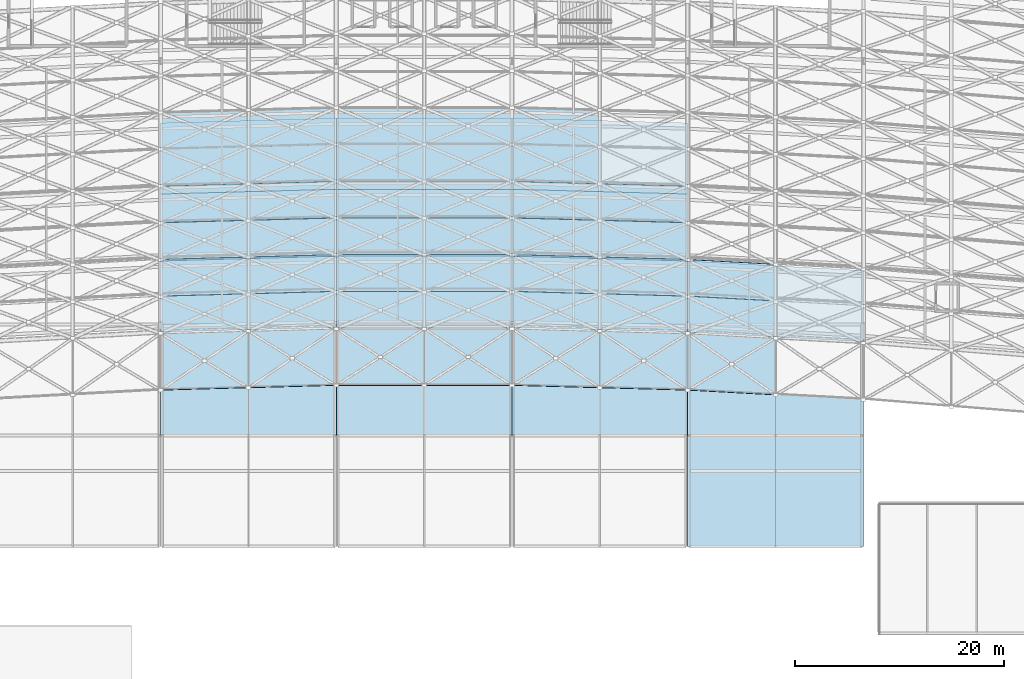
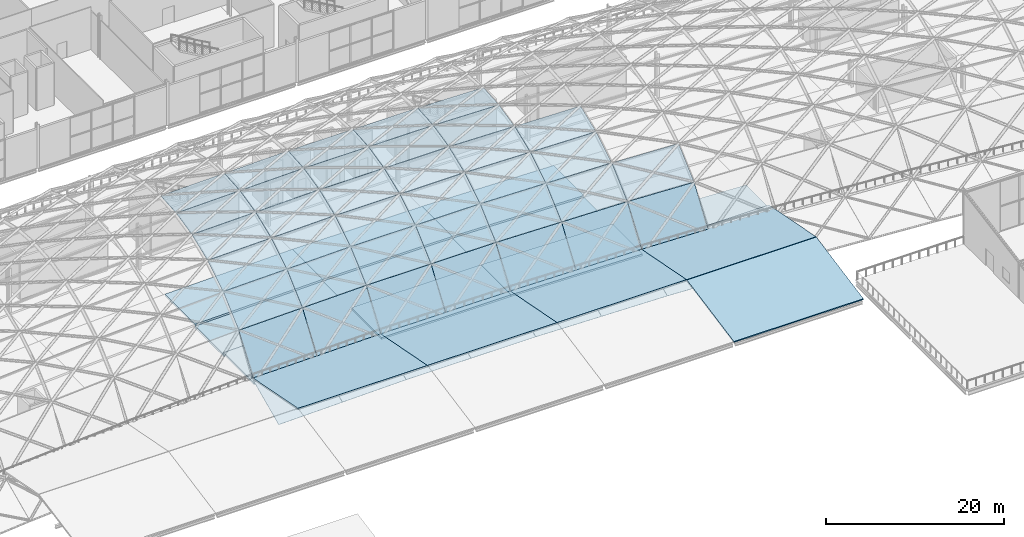
# One storey, part 65 of 100: 43 plates, 15 slabs.
"""IFC4 building model written with IfcOpenShell, lengths in metres."""

from ifc_helpers import new_model, si_unit, direction, frame, origin, place, context, subcontext, project, spatial, polyline, outline, extrude, material, layer, layer_set, type_object, element, save


model = new_model("IFC4")

# Units and contexts
model_context = context("Model", 3, precision=1e-05, world=origin(), true_north=direction((0.0, 1.0)))
body_context = subcontext(model_context, "Body", "Model", "MODEL_VIEW")
ifc_project = project(units=[si_unit("LENGTHUNIT", "METRE"), si_unit("AREAUNIT", "SQUARE_METRE"), si_unit("VOLUMEUNIT", "CUBIC_METRE"), si_unit("PLANEANGLEUNIT", "RADIAN"), si_unit("MASSUNIT", "GRAM", prefix="KILO")], contexts=[model_context])

# Site, building, storey
site_placement = place(None, origin())
site = spatial("IfcSite", under=ifc_project, at=site_placement, CompositionType="ELEMENT")
building_placement = place(site_placement, origin())
building = spatial("IfcBuilding", under=site, at=building_placement, Name="Kimbaza Rail Terminus", CompositionType="ELEMENT")
storey_placement = place(building_placement, frame((0.0, 0.0, 10.800048828125)))
storey = spatial("IfcBuildingStorey", under=building, at=storey_placement, Name="L02", CompositionType="ELEMENT", Elevation=10.800048828125)

# Plates
ifc_material_1 = material(Name="Insulated pearl-white aluminium cassette", Category="aluminium")
ifc_layer_1 = layer(ifc_material_1, 0.054931640625)
ifc_layer_set_1 = layer_set([ifc_layer_1], Name="Insulated pearl-white aluminium cassette")
plate_type_1 = type_object("IfcPlateType", Name="ARC-PL-VAL-01", PredefinedType="SHEET", material=ifc_layer_set_1)
plate_1_placement = place(storey_placement, frame((88.804931640625, 48.7421875, -2.39990234375), z_axis=(0.011233596751, -0.413776833816, 0.910309034395), x_axis=(0.9996316715, 0.027138926541, 0.0)))
element("IfcPlate", 1, at=plate_1_placement, inside=storey, type_object=plate_type_1, Name="Vault Insulated Aluminium Cassette VR-08-VA00", PredefinedType="SHEET", context=body_context, shape_type="SweptSolid", body=[
    extrude(outline(polyline([(0.0, 0.0), (8.393228183895808, 0.0), (8.54249227987157, 6.039678818418454), (0.1492640959757627, 6.039678818418454), (0.0, 0.0)])), origin(), (0.0, 0.0, -1.0), 0.054931640625),
])
plate_2_placement = place(storey_placement, frame((97.205078125, 48.969970703125, -2.39990234375), z_axis=(0.011233923601, -0.413776832296, 0.910309031052), x_axis=(0.999631650075, 0.027139715685, 0.0)))
element("IfcPlate", 2, at=plate_2_placement, inside=storey, type_object=plate_type_1, Name="Vault Insulated Aluminium Cassette VR-09-VA00", PredefinedType="SHEET", context=body_context, shape_type="SweptSolid", body=[
    extrude(outline(polyline([(0.0, 0.0), (8.392984133197373, 0.0), (8.54225256946573, 6.039678711151282), (0.14926843626835662, 6.039678711151282), (0.0, 0.0)])), origin(), (0.0, 0.0, -1.0), 0.054931640625),
])
for number, where, z_axis, x_axis, name in (
    (3, (105.60498046875, 49.19775390625, -2.39990234375), (0.0, -0.413802944301, 0.910366477463), (1.0, 0.0, 0.0), "Vault Insulated Aluminium Cassette VR-10-VA00"),
    (4, (114.0048828125, 49.19775390625, -2.39990234375), (0.0, -0.413802944301, 0.910366477463), (1.0, 0.0, 0.0), "Vault Insulated Aluminium Cassette VR-11-VA00"),
):
    element("IfcPlate", number, at=place(storey_placement, frame(where, z_axis=z_axis, x_axis=x_axis)), inside=storey, type_object=plate_type_1, Name=name, PredefinedType="SHEET", context=body_context, shape_type="SweptSolid", body=[
        extrude(outline(polyline([(0.0, 0.0), (8.39013671875, 0.0), (8.39013671875, 6.041522986797286), (0.0, 6.041522986797286), (0.0, 0.0)])), origin(), (0.0, 0.0, -1.0), 0.054931640625),
    ])
plate_3_placement = place(storey_placement, frame((122.405029296875, 49.19775390625, -2.39990234375), z_axis=(-0.011233923601, -0.413776832296, 0.910309031052), x_axis=(0.999631650075, -0.027139715685, 0.0)))
element("IfcPlate", 5, at=plate_3_placement, inside=storey, type_object=plate_type_1, Name="Vault Insulated Aluminium Cassette VR-12-VA00", PredefinedType="SHEET", context=body_context, shape_type="SweptSolid", body=[
    extrude(outline(polyline([(0.0, 0.0), (8.392984133197373, 0.0), (8.243715696929016, 6.039678711151282), (-0.14926843626835662, 6.039678711151282), (0.0, 0.0)])), origin(), (0.0, 0.0, -1.0), 0.054931640625),
])
plate_4_placement = place(storey_placement, frame((130.804931640625, 48.969970703125, -2.39990234375), z_axis=(-0.011233596751, -0.413776833816, 0.910309034395), x_axis=(0.9996316715, -0.027138926541, 0.0)))
element("IfcPlate", 6, at=plate_4_placement, inside=storey, type_object=plate_type_1, Name="Vault Insulated Aluminium Cassette VR-13-VA00", PredefinedType="SHEET", context=body_context, shape_type="SweptSolid", body=[
    extrude(outline(polyline([(0.0, 0.0), (8.393228183895808, 0.0), (8.243964087920045, 6.039678818418455), (-0.1492640959757627, 6.039678818418454), (0.0, 0.0)])), origin(), (0.0, 0.0, -1.0), 0.054931640625),
])
plate_5_placement = place(storey_placement, frame((139.205078125, 48.7421875, -2.39990234375), z_axis=(-0.022475627499, -0.413698414027, 0.91013651086), x_axis=(0.998527464249, -0.054248531231, 0.0)))
element("IfcPlate", 7, at=plate_5_placement, inside=storey, type_object=plate_type_1, Name="Vault Insulated Aluminium Cassette VR-14-VA00", PredefinedType="SHEET", context=body_context, shape_type="SweptSolid", body=[
    extrude(outline(polyline([(0.0, 0.0), (8.402265214043142, -5.551115123125783e-17), (8.10389829227275, 6.034150907956584), (-0.2983669217703925, 6.034150907956584), (0.0, 0.0)])), origin(), (0.0, 0.0, -1.0), 0.054931640625),
])
ifc_material_2 = material(Name="Laminated solar-control low-E glass", Category="glass")
ifc_layer_2 = layer(ifc_material_2, 0.028076171875)
ifc_layer_set_2 = layer_set([ifc_layer_2], Name="Laminated solar-control low-E glass")
plate_type_2 = type_object("IfcPlateType", Name="ARC-PL-VGL-02", PredefinedType="SHEET", material=ifc_layer_set_2)
plate_6_placement = place(storey_placement, frame((88.804931640625, 54.219970703125, 0.048095703125), z_axis=(0.022303646019, -0.821529581024, 0.569729492722), x_axis=(0.9996316715, 0.027138926541, 0.0)))
element("IfcPlate", 8, at=plate_6_placement, inside=storey, type_object=plate_type_2, Name="Vault Solar Glass Cassette VR-08-VA01", PredefinedType="SHEET", context=body_context, shape_type="SweptSolid", body=[
    extrude(outline(polyline([(0.0, 0.0), (8.393228183895808, -2.7755575615628914e-17), (8.488214426789474, 6.1410035726488506), (0.09498624289366717, 6.1410035726488506), (0.0, 0.0)])), origin(), (0.0, 0.0, -1.0), 0.028076171875),
])
plate_7_placement = place(storey_placement, frame((97.205078125, 54.44775390625, 0.048095703125), z_axis=(0.022304294718, -0.821529569131, 0.569729484475), x_axis=(0.999631650075, 0.027139715685, 0.0)))
element("IfcPlate", 9, at=plate_7_placement, inside=storey, type_object=plate_type_2, Name="Vault Solar Glass Cassette VR-09-VA01", PredefinedType="SHEET", context=body_context, shape_type="SweptSolid", body=[
    extrude(outline(polyline([(0.0, 0.0), (8.392984133197373, 0.0), (8.487973138095418, 6.141003529926806), (0.09498900489804511, 6.141003529926806), (0.0, 0.0)])), origin(), (0.0, 0.0, -1.0), 0.028076171875),
])
for number, where, z_axis, x_axis, name in (
    (10, (105.60498046875, 54.675537109375, 0.048095703125), (0.0, -0.821733993314, 0.569871252329), (1.0, 0.0, 0.0), "Vault Solar Glass Cassette VR-10-VA01"),
    (11, (114.0048828125, 54.675537109375, 0.048095703125), (0.0, -0.821733993314, 0.569871252329), (1.0, 0.0, 0.0), "Vault Solar Glass Cassette VR-11-VA01"),
):
    element("IfcPlate", number, at=place(storey_placement, frame(where, z_axis=z_axis, x_axis=x_axis)), inside=storey, type_object=plate_type_2, Name=name, PredefinedType="SHEET", context=body_context, shape_type="SweptSolid", body=[
        extrude(outline(polyline([(0.0, 0.0), (8.39013671875, 0.0), (8.39013671875, 6.141738130661793), (0.0, 6.141738130661793), (0.0, 0.0)])), origin(), (0.0, 0.0, -1.0), 0.028076171875),
    ])
plate_8_placement = place(storey_placement, frame((122.405029296875, 54.675537109375, 0.048095703125), z_axis=(-0.022304294718, -0.821529569131, 0.569729484475), x_axis=(0.999631650075, -0.027139715685, 0.0)))
element("IfcPlate", 12, at=plate_8_placement, inside=storey, type_object=plate_type_2, Name="Vault Solar Glass Cassette VR-12-VA01", PredefinedType="SHEET", context=body_context, shape_type="SweptSolid", body=[
    extrude(outline(polyline([(0.0, 0.0), (8.392984133197373, 0.0), (8.297995128299327, 6.141003529926806), (-0.09498900489804511, 6.141003529926806), (0.0, 0.0)])), origin(), (0.0, 0.0, -1.0), 0.028076171875),
])
plate_9_placement = place(storey_placement, frame((130.804931640625, 54.44775390625, 0.048095703125), z_axis=(-0.022303646019, -0.821529581024, 0.569729492722), x_axis=(0.9996316715, -0.027138926541, 0.0)))
element("IfcPlate", 13, at=plate_9_placement, inside=storey, type_object=plate_type_2, Name="Vault Solar Glass Cassette VR-13-VA01", PredefinedType="SHEET", context=body_context, shape_type="SweptSolid", body=[
    extrude(outline(polyline([(0.0, 0.0), (8.393228183895808, 2.7755575615628914e-17), (8.29824194100214, 6.1410035726488506), (-0.09498624289366717, 6.1410035726488506), (0.0, 0.0)])), origin(), (0.0, 0.0, -1.0), 0.028076171875),
])
plate_10_placement = place(storey_placement, frame((139.205078125, 54.219970703125, 0.048095703125), z_axis=(-0.044599179399, -0.820916336393, 0.569304208521), x_axis=(0.998527464249, -0.054248531231, 0.0)))
element("IfcPlate", 14, at=plate_10_placement, inside=storey, type_object=plate_type_2, Name="Vault Solar Glass Cassette VR-14-VA01", PredefinedType="SHEET", context=body_context, shape_type="SweptSolid", body=[
    extrude(outline(polyline([(0.0, 0.0), (8.402265214043142, 0.0), (8.21239535473471, 6.1388025462749), (-0.18986985930843156, 6.1388025462749), (0.0, 0.0)])), origin(), (0.0, 0.0, -1.0), 0.028076171875),
])
ifc_material_3 = material(Name="Laminated solar-control low-E glass", Category="glass")
ifc_layer_3 = layer(ifc_material_3, 0.030029296875)
ifc_layer_set_3 = layer_set([ifc_layer_3], Name="Laminated solar-control low-E glass")
plate_type_3 = type_object("IfcPlateType", Name="ARC-PL-VGL-03", PredefinedType="SHEET", material=ifc_layer_set_3)
plate_11_placement = place(storey_placement, frame((88.804931640625, 57.73095703125, 5.110107421875), z_axis=(0.018186300506, -0.669871814781, 0.742254006547), x_axis=(0.9996316715, 0.027138926541, 0.0)))
element("IfcPlate", 15, at=plate_11_placement, inside=storey, type_object=plate_type_3, Name="Vault Solar Glass Cassette VR-08-VA02", PredefinedType="SHEET", context=body_context, shape_type="SweptSolid", body=[
    extrude(outline(polyline([(0.0, 0.0), (8.393228183895808, 2.7755575615628914e-17), (8.488214426789474, 4.713630131181121), (0.09498624289366717, 4.713630131181121), (0.0, 0.0)])), origin(), (0.0, 0.0, -1.0), 0.030029296875),
])
plate_12_placement = place(storey_placement, frame((97.205078125, 57.958740234375, 5.110107421875), z_axis=(0.018186829541, -0.669871808334, 0.742253999403), x_axis=(0.999631650075, 0.027139715685, 0.0)))
element("IfcPlate", 16, at=plate_12_placement, inside=storey, type_object=plate_type_3, Name="Vault Solar Glass Cassette VR-09-VA02", PredefinedType="SHEET", context=body_context, shape_type="SweptSolid", body=[
    extrude(outline(polyline([(0.0, 0.0), (8.392984133197373, 0.0), (8.487973138095418, 4.713630075522059), (0.09498900489804511, 4.713630075522059), (0.0, 0.0)])), origin(), (0.0, 0.0, -1.0), 0.030029296875),
])
for number, where, z_axis, x_axis, name in (
    (17, (105.60498046875, 58.1865234375, 5.110107421875), (0.0, -0.669982619481, 0.742376784115), (1.0, 0.0, 0.0), "Vault Solar Glass Cassette VR-10-VA02"),
    (18, (114.0048828125, 58.1865234375, 5.110107421875), (0.0, -0.669982619481, 0.742376784115), (1.0, 0.0, 0.0), "Vault Solar Glass Cassette VR-11-VA02"),
):
    element("IfcPlate", number, at=place(storey_placement, frame(where, z_axis=z_axis, x_axis=x_axis)), inside=storey, type_object=plate_type_3, Name=name, PredefinedType="SHEET", context=body_context, shape_type="SweptSolid", body=[
        extrude(outline(polyline([(0.0, 0.0), (8.39013671875, 0.0), (8.39013671875, 4.7145870868950555), (0.0, 4.7145870868950555), (0.0, 0.0)])), origin(), (0.0, 0.0, -1.0), 0.030029296875),
    ])
plate_13_placement = place(storey_placement, frame((122.405029296875, 58.1865234375, 5.110107421875), z_axis=(-0.018186829541, -0.669871808334, 0.742253999403), x_axis=(0.999631650075, -0.027139715685, 0.0)))
element("IfcPlate", 19, at=plate_13_placement, inside=storey, type_object=plate_type_3, Name="Vault Solar Glass Cassette VR-12-VA02", PredefinedType="SHEET", context=body_context, shape_type="SweptSolid", body=[
    extrude(outline(polyline([(0.0, 0.0), (8.392984133197373, 0.0), (8.297995128299327, 4.713630075522059), (-0.09498900489804511, 4.713630075522059), (0.0, 0.0)])), origin(), (0.0, 0.0, -1.0), 0.030029296875),
])
plate_14_placement = place(storey_placement, frame((130.804931640625, 57.958740234375, 5.110107421875), z_axis=(-0.018186300506, -0.669871814781, 0.742254006547), x_axis=(0.9996316715, -0.027138926541, 0.0)))
element("IfcPlate", 20, at=plate_14_placement, inside=storey, type_object=plate_type_3, Name="Vault Solar Glass Cassette VR-13-VA02", PredefinedType="SHEET", context=body_context, shape_type="SweptSolid", body=[
    extrude(outline(polyline([(0.0, 0.0), (8.393228183895808, -2.7755575615628914e-17), (8.29824194100214, 4.713630131181121), (-0.09498624289366717, 4.713630131181121), (0.0, 0.0)])), origin(), (0.0, 0.0, -1.0), 0.030029296875),
])
plate_15_placement = place(storey_placement, frame((139.205078125, 57.73095703125, 5.110107421875), z_axis=(-0.036375083446, -0.669539230121, 0.741885484852), x_axis=(0.998527464249, -0.054248531231, 0.0)))
element("IfcPlate", 21, at=plate_15_placement, inside=storey, type_object=plate_type_3, Name="Vault Solar Glass Cassette VR-14-VA02", PredefinedType="SHEET", context=body_context, shape_type="SweptSolid", body=[
    extrude(outline(polyline([(0.0, 0.0), (8.402265214043142, 5.551115123125783e-17), (8.21239535473471, 4.710762235184854), (-0.18986985930843156, 4.710762235184854), (0.0, 0.0)])), origin(), (0.0, 0.0, -1.0), 0.030029296875),
])
ifc_material_4 = material(Name="Laminated solar-control low-E glass", Category="glass")
ifc_layer_4 = layer(ifc_material_4, 0.031982421875)
ifc_layer_set_4 = layer_set([ifc_layer_4], Name="Laminated solar-control low-E glass")
plate_type_4 = type_object("IfcPlateType", Name="ARC-PL-VGL-04", PredefinedType="SHEET", material=ifc_layer_set_4)
plate_16_placement = place(storey_placement, frame((88.804931640625, 61.242431640625, 8.27978515625), z_axis=(0.014127260682, -0.520361672669, 0.853829110608), x_axis=(0.9996316715, 0.027138926541, 0.0)))
element("IfcPlate", 22, at=plate_16_placement, inside=storey, type_object=plate_type_4, Name="Vault Solar Glass Cassette VR-08-VA03", PredefinedType="SHEET", context=body_context, shape_type="SweptSolid", body=[
    extrude(outline(polyline([(0.0, 0.0), (8.393228183895808, -2.7755575615628914e-17), (8.488214426789474, 4.097671075839953), (0.09498624289366717, 4.097671075839953), (0.0, 0.0)])), origin(), (0.0, 0.0, -1.0), 0.031982421875),
])
plate_17_placement = place(storey_placement, frame((97.205078125, 61.47021484375, 8.27978515625), z_axis=(0.014127671694, -0.520361669647, 0.85382910565), x_axis=(0.999631650075, 0.027139715685, 0.0)))
element("IfcPlate", 23, at=plate_17_placement, inside=storey, type_object=plate_type_4, Name="Vault Solar Glass Cassette VR-09-VA03", PredefinedType="SHEET", context=body_context, shape_type="SweptSolid", body=[
    extrude(outline(polyline([(0.0, 0.0), (8.392984133197373, 0.0), (8.487973138095418, 4.097671011814259), (0.09498900489804511, 4.097671011814259), (0.0, 0.0)])), origin(), (0.0, 0.0, -1.0), 0.031982421875),
])
for number, where, z_axis, x_axis, name in (
    (24, (105.60498046875, 61.697998046875, 8.27978515625), (0.0, -0.520413607203, 0.853914326755), (1.0, 0.0, 0.0), "Vault Solar Glass Cassette VR-10-VA03"),
    (25, (114.0048828125, 61.697998046875, 8.27978515625), (0.0, -0.520413607203, 0.853914326755), (1.0, 0.0, 0.0), "Vault Solar Glass Cassette VR-11-VA03"),
):
    element("IfcPlate", number, at=place(storey_placement, frame(where, z_axis=z_axis, x_axis=x_axis)), inside=storey, type_object=plate_type_4, Name=name, PredefinedType="SHEET", context=body_context, shape_type="SweptSolid", body=[
        extrude(outline(polyline([(0.0, 0.0), (8.39013671875, 0.0), (8.39013671875, 4.098771844359528), (0.0, 4.098771844359528), (0.0, 0.0)])), origin(), (0.0, 0.0, -1.0), 0.031982421875),
    ])
plate_18_placement = place(storey_placement, frame((122.405029296875, 61.697998046875, 8.27978515625), z_axis=(-0.014127671694, -0.520361669647, 0.85382910565), x_axis=(0.999631650075, -0.027139715685, 0.0)))
element("IfcPlate", 26, at=plate_18_placement, inside=storey, type_object=plate_type_4, Name="Vault Solar Glass Cassette VR-12-VA03", PredefinedType="SHEET", context=body_context, shape_type="SweptSolid", body=[
    extrude(outline(polyline([(0.0, 0.0), (8.392984133197373, 0.0), (8.297995128299327, 4.097671011814259), (-0.09498900489804511, 4.097671011814259), (0.0, 0.0)])), origin(), (0.0, 0.0, -1.0), 0.031982421875),
])
plate_19_placement = place(storey_placement, frame((130.804931640625, 61.47021484375, 8.27978515625), z_axis=(-0.014127260682, -0.520361672669, 0.853829110608), x_axis=(0.9996316715, -0.027138926541, 0.0)))
element("IfcPlate", 27, at=plate_19_placement, inside=storey, type_object=plate_type_4, Name="Vault Solar Glass Cassette VR-13-VA03", PredefinedType="SHEET", context=body_context, shape_type="SweptSolid", body=[
    extrude(outline(polyline([(0.0, 0.0), (8.393228183895808, 2.7755575615628914e-17), (8.29824194100214, 4.097671075839953), (-0.09498624289366717, 4.097671075839953), (0.0, 0.0)])), origin(), (0.0, 0.0, -1.0), 0.031982421875),
])
ifc_material_5 = material(Name="Laminated solar-control low-E glass", Category="glass")
ifc_layer_5 = layer(ifc_material_5, 0.033935546875)
ifc_layer_set_5 = layer_set([ifc_layer_5], Name="Laminated solar-control low-E glass")
plate_type_5 = type_object("IfcPlateType", Name="ARC-PL-VGL-05", PredefinedType="SHEET", material=ifc_layer_set_5)
plate_20_placement = place(storey_placement, frame((88.804931640625, 64.754638671875, 10.421142578125), z_axis=(0.010086285666, -0.371516927313, 0.928371390964), x_axis=(0.9996316715, 0.027138926541, 0.0)))
element("IfcPlate", 28, at=plate_20_placement, inside=storey, type_object=plate_type_5, Name="Vault Solar Glass Cassette VR-08-VA04", PredefinedType="SHEET", context=body_context, shape_type="SweptSolid", body=[
    extrude(outline(polyline([(0.0, 0.0), (8.393228183895808, -2.7755575615628914e-17), (8.488214426789474, 3.7686543169065465), (0.09498624289366717, 3.7686543169065465), (0.0, 0.0)])), origin(), (0.0, 0.0, -1.0), 0.033935546875),
])
plate_21_placement = place(storey_placement, frame((97.205078125, 64.982421875, 10.421142578125), z_axis=(0.01008657914, -0.371516926213, 0.928371388216), x_axis=(0.999631650075, 0.027139715685, 0.0)))
element("IfcPlate", 29, at=plate_21_placement, inside=storey, type_object=plate_type_5, Name="Vault Solar Glass Cassette VR-09-VA04", PredefinedType="SHEET", context=body_context, shape_type="SweptSolid", body=[
    extrude(outline(polyline([(0.0, 0.0), (8.392984133197373, 0.0), (8.487973138095418, 3.7686542472911837), (0.09498900489804511, 3.7686542472911837), (0.0, 0.0)])), origin(), (0.0, 0.0, -1.0), 0.033935546875),
])
for number, where, z_axis, x_axis, name in (
    (30, (105.60498046875, 65.210205078125, 10.421142578125), (0.0, -0.371535826551, 0.928418617645), (1.0, 0.0, 0.0), "Vault Solar Glass Cassette VR-10-VA04"),
    (31, (114.0048828125, 65.210205078125, 10.421142578125), (0.0, -0.371535826551, 0.928418617645), (1.0, 0.0, 0.0), "Vault Solar Glass Cassette VR-11-VA04"),
):
    element("IfcPlate", number, at=place(storey_placement, frame(where, z_axis=z_axis, x_axis=x_axis)), inside=storey, type_object=plate_type_5, Name=name, PredefinedType="SHEET", context=body_context, shape_type="SweptSolid", body=[
        extrude(outline(polyline([(0.0, 0.0), (8.39013671875, 0.0), (8.39013671875, 3.769851157098566), (0.0, 3.769851157098566), (0.0, 0.0)])), origin(), (0.0, 0.0, -1.0), 0.033935546875),
    ])
plate_22_placement = place(storey_placement, frame((122.405029296875, 65.210205078125, 10.421142578125), z_axis=(-0.01008657914, -0.371516926213, 0.928371388216), x_axis=(0.999631650075, -0.027139715685, 0.0)))
element("IfcPlate", 32, at=plate_22_placement, inside=storey, type_object=plate_type_5, Name="Vault Solar Glass Cassette VR-12-VA04", PredefinedType="SHEET", context=body_context, shape_type="SweptSolid", body=[
    extrude(outline(polyline([(0.0, 0.0), (8.392984133197373, 0.0), (8.297995128299327, 3.7686542472911837), (-0.09498900489804511, 3.7686542472911837), (0.0, 0.0)])), origin(), (0.0, 0.0, -1.0), 0.033935546875),
])
plate_23_placement = place(storey_placement, frame((130.804931640625, 64.982421875, 10.421142578125), z_axis=(-0.010086285666, -0.371516927313, 0.928371390964), x_axis=(0.9996316715, -0.027138926541, 0.0)))
element("IfcPlate", 33, at=plate_23_placement, inside=storey, type_object=plate_type_5, Name="Vault Solar Glass Cassette VR-13-VA04", PredefinedType="SHEET", context=body_context, shape_type="SweptSolid", body=[
    extrude(outline(polyline([(0.0, 0.0), (8.393228183895808, 2.7755575615628914e-17), (8.29824194100214, 3.768654316906547), (-0.09498624289366717, 3.7686543169065465), (0.0, 0.0)])), origin(), (0.0, 0.0, -1.0), 0.033935546875),
])
ifc_material_6 = material(Name="Laminated solar-control low-E glass", Category="glass")
ifc_layer_6 = layer(ifc_material_6, 0.035888671875)
ifc_layer_set_6 = layer_set([ifc_layer_6], Name="Laminated solar-control low-E glass")
plate_type_6 = type_object("IfcPlateType", Name="ARC-PL-VGL-06", PredefinedType="SHEET", material=ifc_layer_set_6)
plate_24_placement = place(storey_placement, frame((88.804931640625, 68.267333984375, 11.827880859375), z_axis=(0.006049694292, -0.222833648496, 0.9748377128), x_axis=(0.9996316715, 0.027138926541, 0.0)))
element("IfcPlate", 34, at=plate_24_placement, inside=storey, type_object=plate_type_6, Name="Vault Solar Glass Cassette VR-08-VA05", PredefinedType="SHEET", context=body_context, shape_type="SweptSolid", body=[
    extrude(outline(polyline([(0.0, 0.0), (8.393228183895808, 0.0), (8.488214426789474, 3.589018771341985), (0.09498624289366717, 3.589018771341985), (0.0, 0.0)])), origin(), (0.0, 0.0, -1.0), 0.035888671875),
])
plate_25_placement = place(storey_placement, frame((97.205078125, 68.4951171875, 11.827880859375), z_axis=(0.006049870328, -0.222833648259, 0.974837711762), x_axis=(0.999631650075, 0.027139715685, 0.0)))
element("IfcPlate", 35, at=plate_25_placement, inside=storey, type_object=plate_type_6, Name="Vault Solar Glass Cassette VR-09-VA05", PredefinedType="SHEET", context=body_context, shape_type="SweptSolid", body=[
    extrude(outline(polyline([(0.0, 0.0), (8.392984133197373, 0.0), (8.487973138095418, 3.5890186982422736), (0.09498900489804511, 3.5890186982422736), (0.0, 0.0)])), origin(), (0.0, 0.0, -1.0), 0.035888671875),
])
for number, where, z_axis, x_axis, name in (
    (36, (105.60498046875, 68.722900390625, 11.827880859375), (0.0, -0.222837726331, 0.974855552235), (1.0, 0.0, 0.0), "Vault Solar Glass Cassette VR-10-VA05"),
    (37, (114.0048828125, 68.722900390625, 11.827880859375), (0.0, -0.222837726331, 0.974855552235), (1.0, 0.0, 0.0), "Vault Solar Glass Cassette VR-11-VA05"),
):
    element("IfcPlate", number, at=place(storey_placement, frame(where, z_axis=z_axis, x_axis=x_axis)), inside=storey, type_object=plate_type_6, Name=name, PredefinedType="SHEET", context=body_context, shape_type="SweptSolid", body=[
        extrude(outline(polyline([(0.0, 0.0), (8.39013671875, 0.0), (8.39013671875, 3.590275494636057), (0.0, 3.590275494636057), (0.0, 0.0)])), origin(), (0.0, 0.0, -1.0), 0.035888671875),
    ])
plate_26_placement = place(storey_placement, frame((122.405029296875, 68.722900390625, 11.827880859375), z_axis=(-0.006049870328, -0.222833648259, 0.974837711762), x_axis=(0.999631650075, -0.027139715685, 0.0)))
element("IfcPlate", 38, at=plate_26_placement, inside=storey, type_object=plate_type_6, Name="Vault Solar Glass Cassette VR-12-VA05", PredefinedType="SHEET", context=body_context, shape_type="SweptSolid", body=[
    extrude(outline(polyline([(0.0, 0.0), (8.392984133197373, 0.0), (8.297995128299327, 3.5890186982422736), (-0.09498900489804511, 3.5890186982422736), (0.0, 0.0)])), origin(), (0.0, 0.0, -1.0), 0.035888671875),
])
ifc_material_7 = material(Name="Laminated solar-control low-E glass", Category="glass")
ifc_layer_7 = layer(ifc_material_7, 0.0380859375)
ifc_layer_set_7 = layer_set([ifc_layer_7], Name="Laminated solar-control low-E glass")
plate_type_7 = type_object("IfcPlateType", Name="ARC-PL-VGL-07", PredefinedType="SHEET", material=ifc_layer_set_7)
plate_27_placement = place(storey_placement, frame((88.804931640625, 71.78076171875, 12.632080078125), z_axis=(0.002015063003, -0.074222567165, 0.997239665298), x_axis=(0.9996316715, 0.027138926541, 0.0)))
element("IfcPlate", 39, at=plate_27_placement, inside=storey, type_object=plate_type_7, Name="Vault Solar Glass Cassette VR-08-VA06", PredefinedType="SHEET", context=body_context, shape_type="SweptSolid", body=[
    extrude(outline(polyline([(0.0, 0.0), (8.393228183895808, -2.7755575615628914e-17), (8.488214426789474, 3.5083951952547525), (0.09498624289366717, 3.508395195254753), (0.0, 0.0)])), origin(), (0.0, 0.0, -1.0), 0.0380859375),
])
plate_28_placement = place(storey_placement, frame((97.205078125, 72.008544921875, 12.632080078125), z_axis=(0.002012961818, -0.074222567479, 0.997239669519), x_axis=(0.99963243882, 0.027110648421, 0.0)))
element("IfcPlate", 40, at=plate_28_placement, inside=storey, type_object=plate_type_7, Name="Vault Solar Glass Cassette VR-09-VA06", PredefinedType="SHEET", context=body_context, shape_type="SweptSolid", body=[
    extrude(outline(polyline([(0.0, 0.0), (8.39297751083847, -2.7755575615628914e-17), (8.487864780311261, 3.508397873462713), (0.09488726947279046, 3.5083978734627133), (0.0, 0.0)])), origin(), (0.0, 0.0, -1.0), 0.0380859375),
])
for number, where, z_axis, x_axis, name in (
    (41, (105.60498046875, 72.236083984375, 12.632080078125), (0.0, -0.074222717855, 0.99724168994), (1.0, 0.0, 0.0), "Vault Solar Glass Cassette VR-10-VA06"),
    (42, (114.0048828125, 72.236083984375, 12.632080078125), (0.0, -0.074222717855, 0.99724168994), (1.0, 0.0, 0.0), "Vault Solar Glass Cassette VR-11-VA06"),
):
    element("IfcPlate", number, at=place(storey_placement, frame(where, z_axis=z_axis, x_axis=x_axis)), inside=storey, type_object=plate_type_7, Name=name, PredefinedType="SHEET", context=body_context, shape_type="SweptSolid", body=[
        extrude(outline(polyline([(0.0, 0.0), (8.39013671875, 0.0), (8.39013671875, 3.509680787824683), (0.0, 3.509680787824683), (0.0, 0.0)])), origin(), (0.0, 0.0, -1.0), 0.0380859375),
    ])
plate_29_placement = place(storey_placement, frame((122.405029296875, 72.236083984375, 12.632080078125), z_axis=(-0.002012961818, -0.074222567479, 0.997239669519), x_axis=(0.99963243882, -0.027110648421, 0.0)))
element("IfcPlate", 43, at=plate_29_placement, inside=storey, type_object=plate_type_7, Name="Vault Solar Glass Cassette VR-12-VA06", PredefinedType="SHEET", context=body_context, shape_type="SweptSolid", body=[
    extrude(outline(polyline([(0.0, 0.0), (8.39297751083847, 2.7755575615628914e-17), (8.298090241365681, 3.5083978734627133), (-0.09488726947279046, 3.5083978734627133), (0.0, 0.0)])), origin(), (0.0, 0.0, -1.0), 0.0380859375),
])

# Slabs
ifc_material_8 = material(Name="Precast concrete C40/50", Category="concrete")
ifc_layer_8 = layer(ifc_material_8, 0.260009765625)
ifc_layer_set_8 = layer_set([ifc_layer_8], Name="Precast concrete C40/50")
slab_type_1 = type_object("IfcSlabType", Name="STR-SL-PLT260", PredefinedType="FLOOR", material=ifc_layer_set_8)
slab_1_placement = place(storey_placement, frame((0.0, 0.0, -0.260009765625)))
element("IfcSlab", 44, at=slab_1_placement, inside=storey, type_object=slab_type_1, Name="Viaduct Platform 1 South Regional Bay 05", PredefinedType="FLOOR", context=body_context, shape_type="SweptSolid", body=[
    extrude(outline(polyline([(88.800048828125, 54.28759765625), (105.60009765625, 54.7431640625), (105.60009765625, 61.543212890625), (88.800048828125, 61.087646484375), (88.800048828125, 54.28759765625)])), origin(), (0.0, 0.0, 1.0), 0.260009765625),
])
slab_2_placement = place(storey_placement, frame((0.0, 0.0, -0.260009765625)))
element("IfcSlab", 45, at=slab_2_placement, inside=storey, type_object=slab_type_1, Name="Viaduct Platform 2-3 South Island Bay 05", PredefinedType="FLOOR", context=body_context, shape_type="SweptSolid", body=[
    extrude(outline(polyline([(88.800048828125, 67.48779296875), (105.60009765625, 67.943115234375), (105.60009765625, 74.7431640625), (88.800048828125, 74.28759765625), (88.800048828125, 67.48779296875)])), origin(), (0.0, 0.0, 1.0), 0.260009765625),
])
slab_3_placement = place(storey_placement, frame((0.0, 0.0, -0.260009765625)))
element("IfcSlab", 46, at=slab_3_placement, inside=storey, type_object=slab_type_1, Name="Viaduct Platform 1 South Regional Bay 06", PredefinedType="FLOOR", context=body_context, shape_type="SweptSolid", body=[
    extrude(outline(polyline([(105.60009765625, 54.7431640625), (122.39990234375, 54.7431640625), (122.39990234375, 61.543212890625), (105.60009765625, 61.543212890625), (105.60009765625, 54.7431640625)])), origin(), (0.0, 0.0, 1.0), 0.260009765625),
])
slab_4_placement = place(storey_placement, frame((0.0, 0.0, -0.260009765625)))
element("IfcSlab", 47, at=slab_4_placement, inside=storey, type_object=slab_type_1, Name="Viaduct Platform 2-3 South Island Bay 06", PredefinedType="FLOOR", context=body_context, shape_type="SweptSolid", body=[
    extrude(outline(polyline([(105.60009765625, 67.943115234375), (122.39990234375, 67.943115234375), (122.39990234375, 74.7431640625), (105.60009765625, 74.7431640625), (105.60009765625, 67.943115234375)])), origin(), (0.0, 0.0, 1.0), 0.260009765625),
])
slab_5_placement = place(storey_placement, frame((0.0, 0.0, -0.260009765625)))
element("IfcSlab", 48, at=slab_5_placement, inside=storey, type_object=slab_type_1, Name="Viaduct Platform 1 South Regional Bay 07", PredefinedType="FLOOR", context=body_context, shape_type="SweptSolid", body=[
    extrude(outline(polyline([(122.39990234375, 54.7431640625), (139.199951171875, 54.28759765625), (139.199951171875, 61.087646484375), (122.39990234375, 61.543212890625), (122.39990234375, 54.7431640625)])), origin(), (0.0, 0.0, 1.0), 0.260009765625),
])
slab_6_placement = place(storey_placement, frame((0.0, 0.0, -0.260009765625)))
element("IfcSlab", 49, at=slab_6_placement, inside=storey, type_object=slab_type_1, Name="Viaduct Platform 2-3 South Island Bay 07", PredefinedType="FLOOR", context=body_context, shape_type="SweptSolid", body=[
    extrude(outline(polyline([(122.39990234375, 67.943115234375), (139.199951171875, 67.48779296875), (139.199951171875, 74.28759765625), (122.39990234375, 74.7431640625), (122.39990234375, 67.943115234375)])), origin(), (0.0, 0.0, 1.0), 0.260009765625),
])
slab_7_placement = place(storey_placement, frame((0.0, 0.0, -0.260009765625)))
element("IfcSlab", 50, at=slab_7_placement, inside=storey, type_object=slab_type_1, Name="Viaduct Platform 1 South Regional Bay 08", PredefinedType="FLOOR", context=body_context, shape_type="SweptSolid", body=[
    extrude(outline(polyline([(139.199951171875, 54.28759765625), (156.0, 53.375732421875), (156.0, 60.17578125), (139.199951171875, 61.087646484375), (139.199951171875, 54.28759765625)])), origin(), (0.0, 0.0, 1.0), 0.260009765625),
])
ifc_material_9 = material(Name="Concrete C40/50", Category="concrete")
ifc_layer_9 = layer(ifc_material_9, 0.175048828125)
ifc_layer_set_9 = layer_set([ifc_layer_9], Name="Concrete C40/50")
slab_type_2 = type_object("IfcSlabType", Name="STR-SL-RF175", PredefinedType="ROOF", material=ifc_layer_set_9)
slab_8_placement = place(storey_placement, frame((88.800048828125, 44.429931640625, 2.449951171875), z_axis=(0.0, 0.190400496041, 0.981706499473), x_axis=(1.0, 0.0, 0.0)))
element("IfcSlab", 51, at=slab_8_placement, inside=storey, type_object=slab_type_2, Name="South Concourse Dual-Pitch Roof North Slope Bay 3", PredefinedType="ROOF", context=body_context, shape_type="SweptSolid", body=[
    extrude(outline(polyline([(0.0, 0.0), (16.800048828125, 0.0), (16.800048828125, 10.767035122054596), (0.0, 10.767035122054596), (0.0, 0.0)])), origin(), (0.0, 0.0, -1.0), 0.175048828125),
])
slab_9_placement = place(storey_placement, frame((105.60009765625, 44.429931640625, 2.449951171875), z_axis=(0.0, 0.190400496041, 0.981706499473), x_axis=(1.0, 0.0, 0.0)))
element("IfcSlab", 52, at=slab_9_placement, inside=storey, type_object=slab_type_2, Name="South Concourse Dual-Pitch Roof North Slope Bay 4", PredefinedType="ROOF", context=body_context, shape_type="SweptSolid", body=[
    extrude(outline(polyline([(0.0, 0.0), (16.7998046875, 0.0), (16.7998046875, 10.767035122054594), (0.0, 10.767035122054594), (0.0, 0.0)])), origin(), (0.0, 0.0, -1.0), 0.175048828125),
])
for number, where, z_axis, x_axis, name in (
    (53, (122.39990234375, 44.429931640625, 2.449951171875), (0.0, 0.190400496041, 0.981706499473), (1.0, 0.0, 0.0), "South Concourse Dual-Pitch Roof North Slope Bay 5"),
    (54, (139.199951171875, 33.800048828125, 0.39990234375), (0.0, -0.190400496041, 0.981706499473), (1.0, 0.0, 0.0), "South Concourse Dual-Pitch Roof South Slope Bay 6"),
    (55, (139.199951171875, 44.429931640625, 2.449951171875), (0.0, 0.190400496041, 0.981706499473), (1.0, 0.0, 0.0), "South Concourse Dual-Pitch Roof North Slope Bay 6"),
):
    element("IfcSlab", number, at=place(storey_placement, frame(where, z_axis=z_axis, x_axis=x_axis)), inside=storey, type_object=slab_type_2, Name=name, PredefinedType="ROOF", context=body_context, shape_type="SweptSolid", body=[
        extrude(outline(polyline([(0.0, 0.0), (16.800048828125, 0.0), (16.800048828125, 10.767035122054596), (0.0, 10.767035122054596), (0.0, 0.0)])), origin(), (0.0, 0.0, -1.0), 0.175048828125),
    ])
ifc_material_10 = material(Name="Concrete C40/50", Category="concrete")
ifc_layer_10 = layer(ifc_material_10, 0.320068359375)
ifc_layer_set_10 = layer_set([ifc_layer_10], Name="Concrete C40/50")
slab_type_3 = type_object("IfcSlabType", Name="STR-SL-TRK320", PredefinedType="FLOOR", material=ifc_layer_set_10)
slab_10_placement = place(storey_placement, frame((0.0, 0.0, -0.570068359375)))
element("IfcSlab", 56, at=slab_10_placement, inside=storey, type_object=slab_type_3, Name="Viaduct Track Bed 1-2 Bay 05", PredefinedType="FLOOR", context=body_context, shape_type="SweptSolid", body=[
    extrude(outline(polyline([(88.800048828125, 61.087646484375), (105.60009765625, 61.543212890625), (105.60009765625, 67.943115234375), (88.800048828125, 67.48779296875), (88.800048828125, 61.087646484375)])), origin(), (0.0, 0.0, 1.0), 0.320068359375),
])
slab_11_placement = place(storey_placement, frame((0.0, 0.0, -0.570068359375)))
element("IfcSlab", 57, at=slab_11_placement, inside=storey, type_object=slab_type_3, Name="Viaduct Track Bed 1-2 Bay 06", PredefinedType="FLOOR", context=body_context, shape_type="SweptSolid", body=[
    extrude(outline(polyline([(105.60009765625, 61.543212890625), (122.39990234375, 61.543212890625), (122.39990234375, 67.943115234375), (105.60009765625, 67.943115234375), (105.60009765625, 61.543212890625)])), origin(), (0.0, 0.0, 1.0), 0.320068359375),
])
slab_12_placement = place(storey_placement, frame((0.0, 0.0, -0.570068359375)))
element("IfcSlab", 58, at=slab_12_placement, inside=storey, type_object=slab_type_3, Name="Viaduct Track Bed 1-2 Bay 07", PredefinedType="FLOOR", context=body_context, shape_type="SweptSolid", body=[
    extrude(outline(polyline([(122.39990234375, 61.543212890625), (139.199951171875, 61.087646484375), (139.199951171875, 67.48779296875), (122.39990234375, 67.943115234375), (122.39990234375, 61.543212890625)])), origin(), (0.0, 0.0, 1.0), 0.320068359375),
])

save(model, "model.ifc")
